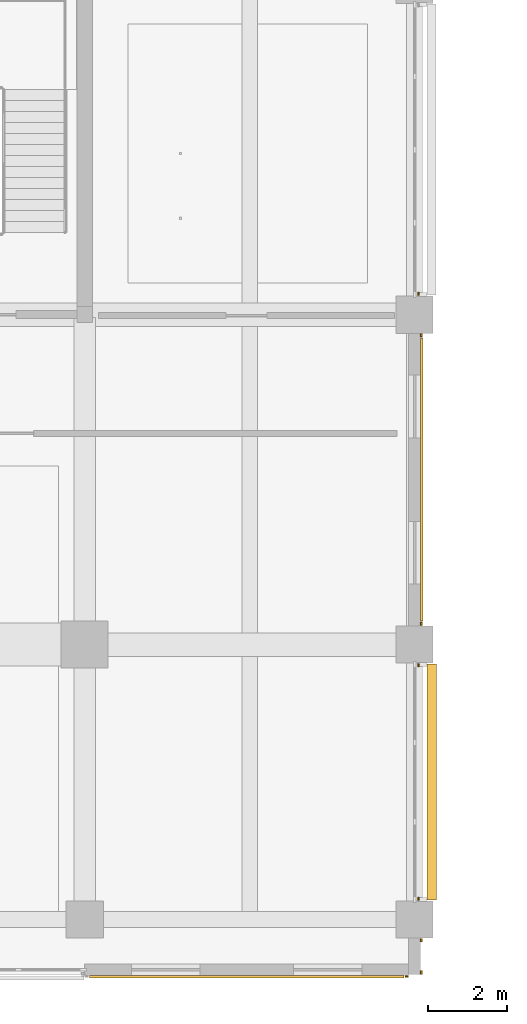
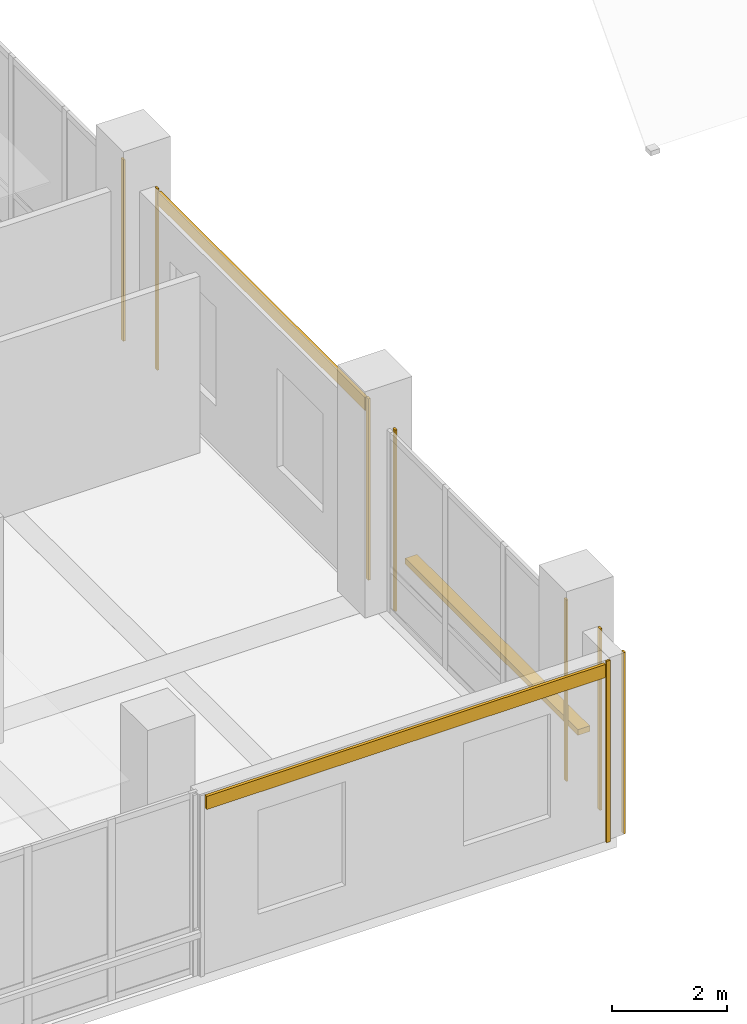
# One storey, part 113 of 122: 10 coverings, 1 shading device.
"""IFC4 building model written with IfcOpenShell, lengths in metres."""

from ifc_helpers import new_model, si_unit, direction, frame, origin, origin_2d, place, context, subcontext, project, spatial, rectangle, extrude, material, layer, layer_set, type_object, element, save


model = new_model("IFC4")

# Units and contexts
model_context = context("Model", 3, precision=1e-05, world=origin(), true_north=direction((0.0, 1.0)))
body_context = subcontext(model_context, "Body", "Model", "MODEL_VIEW")
ifc_project = project(units=[si_unit("LENGTHUNIT", "METRE"), si_unit("AREAUNIT", "SQUARE_METRE"), si_unit("VOLUMEUNIT", "CUBIC_METRE"), si_unit("PLANEANGLEUNIT", "RADIAN"), si_unit("MASSUNIT", "GRAM", prefix="KILO")], contexts=[model_context])

# Site, building, storey
site_placement = place(None, origin())
site = spatial("IfcSite", under=ifc_project, at=site_placement, CompositionType="ELEMENT")
building_placement = place(site_placement, origin())
building = spatial("IfcBuilding", under=site, at=building_placement, Name="Telukmera Botanical Conservatory", CompositionType="ELEMENT")
storey_placement = place(building_placement, frame((0.0, 0.0, 10.199951171875)))
storey = spatial("IfcBuildingStorey", under=building, at=storey_placement, Name="L02", CompositionType="ELEMENT", Elevation=10.199951171875)

# Coverings
ifc_material_1 = material(Name="Granite-faced precast concrete C40/50", Category="masonry")
ifc_layer_1 = layer(ifc_material_1, 0.0400390625)
ifc_layer_set_1 = layer_set([ifc_layer_1], Name="Granite-faced precast concrete C40/50")
covering_type_1 = type_object("IfcCoveringType", Name="Granite Precast Column Pier Reveal Casing", PredefinedType="CLADDING", material=ifc_layer_set_1)
for number, where, z_axis, x_axis, name in (
    (1, (109.3701171875, 9.25, 0.0), (0.0, 0.0, 1.0), (0.0, 1.0, 0.0), "Granite Pier Reveal V4:L02:SEC L"),
    (2, (109.3701171875, 10.072998046875, 0.0), (0.0, 0.0, 1.0), (0.0, 1.0, 0.0), "Granite Pier Reveal V4:L02:SEC R"),
    (3, (108.998046875, 9.14990234375, 0.0), (0.0, 0.0, 1.0), (1.0, 0.0, 0.0), "Granite Pier Reveal V4:L02:S7 R"),
    (4, (109.300048828125, 11.126953125, 0.0), (0.0, 0.0, 1.0), (0.0, 1.0, 0.0), "Granite Pier Reveal V4:L02:E1 L"),
    (5, (109.300048828125, 17.072998046875, 0.0), (0.0, 0.0, 1.0), (0.0, 1.0, 0.0), "Granite Pier Reveal V4:L02:E1 R"),
    (6, (109.3701171875, 18.126953125, 0.0), (0.0, 0.0, 1.0), (0.0, 1.0, 0.0), "Granite Pier Reveal V4:L02:E2 L"),
    (7, (109.3701171875, 25.472900390625, 0.0), (0.0, 0.0, 1.0), (0.0, 1.0, 0.0), "Granite Pier Reveal V4:L02:E2 R"),
    (8, (109.300048828125, 26.527099609375, 0.0), (0.0, 0.0, 1.0), (0.0, 1.0, 0.0), "Granite Pier Reveal V4:L02:E3 L"),
):
    element("IfcCovering", number, at=place(storey_placement, frame(where, z_axis=z_axis, x_axis=x_axis)), inside=storey, type_object=covering_type_1, Name=name, PredefinedType="CLADDING", context=body_context, shape_type="SweptSolid", body=[
        extrude(rectangle(XDim=0.080078125, YDim=0.0400390625, at=origin_2d()), origin(), (0.0, 0.0, 1.0), 3.85009765625),
    ])

# Shading device
ifc_material_2 = material(Name="Perforated terracotta-anodised aluminium 6063-T6", Category="masonry")
ifc_layer_2 = layer(ifc_material_2, 0.044921875)
ifc_layer_set_2 = layer_set([ifc_layer_2], Name="Perforated terracotta-anodised aluminium 6063-T6")
shading_device_type = type_object("IfcShadingDeviceType", Name="Perforated Terracotta Aluminium Monsoon Brise Soleil", PredefinedType="JALOUSIE", material=ifc_layer_set_2)
shading_device_placement = place(storey_placement, frame((109.639892578125, 14.10009765625, 0.889892578125), z_axis=(0.0, 0.0, 1.0), x_axis=(0.0, 1.0, 0.0)))
element("IfcShadingDevice", 9, at=shading_device_placement, inside=storey, type_object=shading_device_type, Name="Monsoon Shading BS01 V4:L02:E1", PredefinedType="JALOUSIE", context=body_context, shape_type="SweptSolid", body=[
    extrude(rectangle(XDim=6.006103515625, YDim=0.239990234375, at=origin_2d()), origin(), (0.0, 0.0, 1.0), 0.1201171875),
])

# Coverings
ifc_material_3 = material(Name="Terracotta-faced precast concrete C40/50", Category="masonry")
ifc_layer_3 = layer(ifc_material_3, 0.06005859375)
ifc_layer_set_3 = layer_set([ifc_layer_3], Name="Terracotta-faced precast concrete C40/50")
covering_type_2 = type_object("IfcCoveringType", Name="Polychrome Terracotta Facade Band Cladding", PredefinedType="CLADDING", material=ifc_layer_set_3)
covering_1_placement = place(storey_placement, frame((104.925048828125, 9.139892578125, 3.5302734375), z_axis=(0.0, 0.0, 1.0), x_axis=(1.0, 0.0, 0.0)))
element("IfcCovering", 10, at=covering_1_placement, inside=storey, type_object=covering_type_2, Name="Polychrome Terracotta Band V4:L02:S7", PredefinedType="CLADDING", context=body_context, shape_type="SweptSolid", body=[
    extrude(rectangle(XDim=8.006103515625, YDim=0.06005859375, at=origin_2d()), origin(), (0.0, 0.0, 1.0), 0.280029296875),
])
covering_2_placement = place(storey_placement, frame((109.3798828125, 21.800048828125, 3.5302734375), z_axis=(0.0, 0.0, 1.0), x_axis=(0.0, 1.0, 0.0)))
element("IfcCovering", 11, at=covering_2_placement, inside=storey, type_object=covering_type_2, Name="Polychrome Terracotta Band V4:L02:E2", PredefinedType="CLADDING", context=body_context, shape_type="SweptSolid", body=[
    extrude(rectangle(XDim=7.2060546875, YDim=0.06005859375, at=origin_2d()), origin(), (0.0, 0.0, 1.0), 0.280029296875),
])

save(model, "model.ifc")
